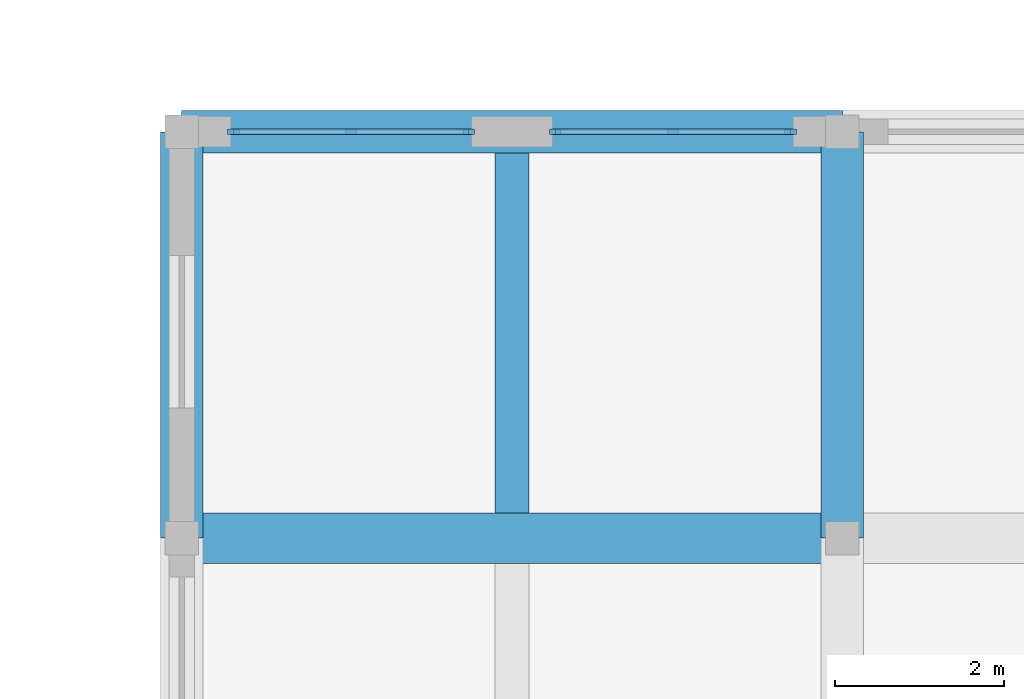
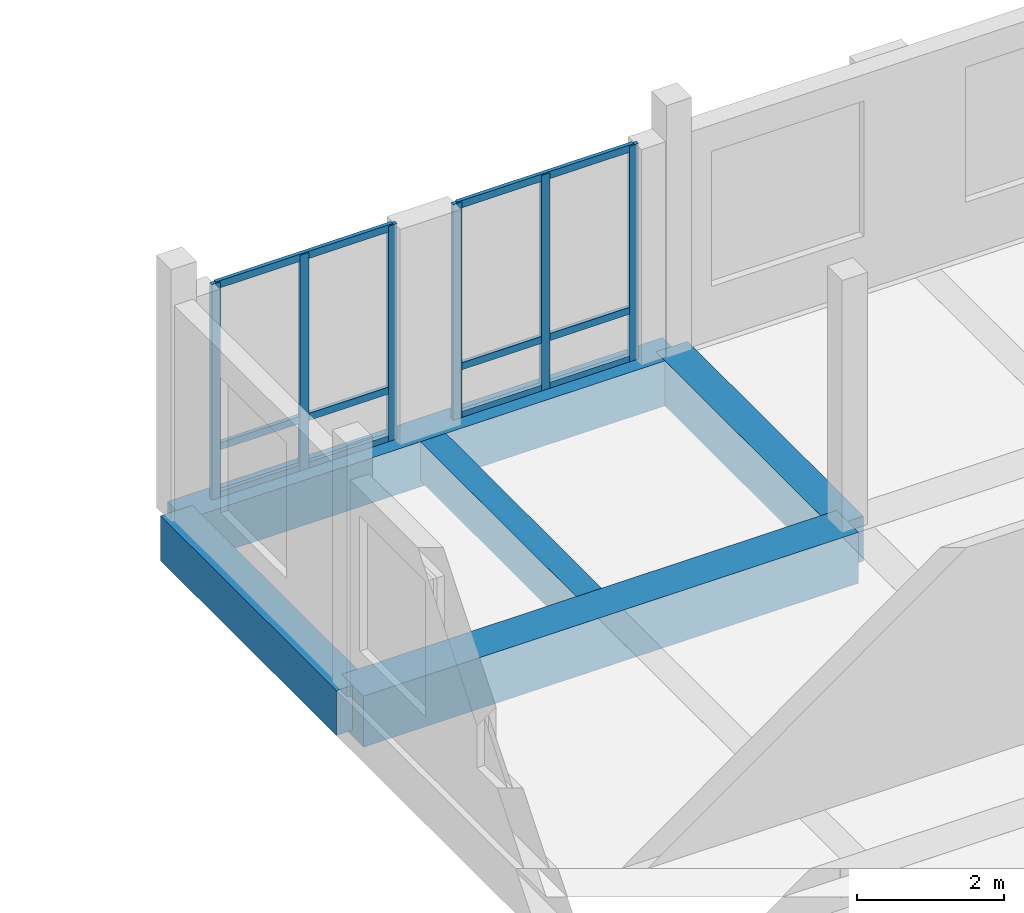
# One storey, part 29 of 99: 12 members, 5 beams, 2 elements without a shape of their own.
"""IFC4 building model written with IfcOpenShell, lengths in metres."""

from ifc_helpers import new_model, si_unit, direction, frame, origin, origin_2d, place, context, subcontext, project, spatial, rectangle, extrude, material, material_profile, profile_set, type_object, element, aggregate, save


model = new_model("IFC4")

# Units and contexts
model_context = context("Model", 3, precision=1e-05, world=origin(), true_north=direction((0.0, 1.0)))
body_context = subcontext(model_context, "Body", "Model", "MODEL_VIEW")
ifc_project = project(units=[si_unit("LENGTHUNIT", "METRE"), si_unit("AREAUNIT", "SQUARE_METRE"), si_unit("VOLUMEUNIT", "CUBIC_METRE"), si_unit("PLANEANGLEUNIT", "RADIAN"), si_unit("MASSUNIT", "GRAM", prefix="KILO")], contexts=[model_context])

# Site, building, storey
site_placement = place(None, origin())
site = spatial("IfcSite", under=ifc_project, at=site_placement, CompositionType="ELEMENT")
building_placement = place(site_placement, origin())
building = spatial("IfcBuilding", under=site, at=building_placement, Name="Kahlenmark Community Centre", CompositionType="ELEMENT")
storey_placement = place(building_placement, frame((0.0, 0.0, 5.39990234375)))
storey = spatial("IfcBuildingStorey", under=building, at=storey_placement, Name="L01", CompositionType="ELEMENT", Elevation=5.39990234375)

# Beams
ifc_material_1 = material(Name="Concrete C35/45", Category="concrete")
ifc_material_profile_1 = material_profile(ifc_material_1, rectangle(XDim=0.5, YDim=0.75, at=origin_2d()), Name="RC 500x750")
ifc_profile_set_1 = profile_set([ifc_material_profile_1], Name="Concrete C35/45")
beam_type_1 = type_object("IfcBeamType", Name="BT-BEAM-RC500x750", PredefinedType="BEAM", material=ifc_profile_set_1)
beam_1_placement = place(storey_placement, frame((129.39990234375, 37.60009765625, -0.375), z_axis=(0.0, 1.0, 0.0), x_axis=(-1.0, 0.0, 0.0)))
element("IfcBeam", 1, at=beam_1_placement, inside=storey, type_object=beam_type_1, Name="L01 beam BG-RC500x750", PredefinedType="BEAM", context=body_context, shape_type="SweptSolid", body=[
    extrude(rectangle(XDim=0.5, YDim=0.75, at=origin_2d()), origin(), (0.0, 0.0, 1.0), 4.7998046875),
])
ifc_material_profile_2 = material_profile(ifc_material_1, rectangle(XDim=0.60009765625, YDim=0.85009765625, at=origin_2d()), Name="RC 600x850")
ifc_profile_set_2 = profile_set([ifc_material_profile_2], Name="Concrete C35/45")
beam_type_2 = type_object("IfcBeamType", Name="BT-BEAM-RC600x850", PredefinedType="BEAM", material=ifc_profile_set_2)
beam_2_placement = place(storey_placement, frame((121.60009765625, 37.60009765625, -0.4248046875), z_axis=(1.0, 0.0, 0.0), x_axis=(0.0, 1.0, 0.0)))
element("IfcBeam", 2, at=beam_2_placement, inside=storey, type_object=beam_type_2, Name="L01 beam BG-RC600x850", PredefinedType="BEAM", context=body_context, shape_type="SweptSolid", body=[
    extrude(rectangle(XDim=0.60009765625, YDim=0.85009765625, at=origin_2d()), origin(), (0.0, 0.0, 1.0), 7.7998046875),
])
ifc_material_profile_3 = material_profile(ifc_material_1, rectangle(XDim=0.39990234375, YDim=0.64990234375, at=origin_2d()), Name="RC 400x650")
ifc_profile_set_3 = profile_set([ifc_material_profile_3], Name="Concrete C35/45")
beam_type_3 = type_object("IfcBeamType", Name="BT-JOIST-RC400x650", PredefinedType="JOIST", material=ifc_profile_set_3)
beam_3_placement = place(storey_placement, frame((125.5, 37.89794921875, -0.324951171875), z_axis=(0.0, 1.0, 0.0), x_axis=(-1.0, 0.0, 0.0)))
element("IfcBeam", 3, at=beam_3_placement, inside=storey, type_object=beam_type_3, Name="L01 joist BJ-RC400x650", PredefinedType="JOIST", context=body_context, shape_type="SweptSolid", body=[
    extrude(rectangle(XDim=0.39990234375, YDim=0.64990234375, at=origin_2d()), origin(), (0.0, 0.0, 1.0), 4.254150390625),
])
ifc_material_profile_4 = material_profile(ifc_material_1, rectangle(XDim=0.5, YDim=0.75, at=origin_2d()), Name="RC 500x750")
ifc_profile_set_4 = profile_set([ifc_material_profile_4], Name="Concrete C35/45")
beam_type_4 = type_object("IfcBeamType", Name="BT-SPANDREL-RC500x750", PredefinedType="SPANDREL", material=ifc_profile_set_4)
beam_4_placement = place(storey_placement, frame((121.60009765625, 42.39990234375, -0.375), z_axis=(1.0, 0.0, 0.0), x_axis=(0.0, 1.0, 0.0)))
element("IfcBeam", 4, at=beam_4_placement, inside=storey, type_object=beam_type_4, Name="L01 spandrel SP-RC500x750", PredefinedType="SPANDREL", context=body_context, shape_type="SweptSolid", body=[
    extrude(rectangle(XDim=0.5, YDim=0.75, at=origin_2d()), origin(), (0.0, 0.0, 1.0), 7.7998046875),
])
beam_5_placement = place(storey_placement, frame((121.60009765625, 37.60009765625, -0.375), z_axis=(0.0, 1.0, 0.0), x_axis=(-1.0, 0.0, 0.0)))
element("IfcBeam", 5, at=beam_5_placement, inside=storey, type_object=beam_type_4, Name="L01 spandrel SP-RC500x750", PredefinedType="SPANDREL", context=body_context, shape_type="SweptSolid", body=[
    extrude(rectangle(XDim=0.5, YDim=0.75, at=origin_2d()), origin(), (0.0, 0.0, 1.0), 4.7998046875),
])

# Curtain wall, members
ifc_material_2 = material(Name="Anodised aluminium unitised curtain wall", Category="aluminium")
curtain_wall_type = type_object("IfcCurtainWallType", Name="CWT-UNIT-284X359", PredefinedType="USERDEFINED", material=ifc_material_2)
curtain_wall_1_placement = place(storey_placement, origin())
curtain_wall_1 = element("IfcCurtainWall", 6, at=curtain_wall_1_placement, inside=storey, type_object=curtain_wall_type, Name="Unitised curtain wall CW-054", ObjectType="UNITISED CURTAIN WALL", PredefinedType="USERDEFINED")
ifc_material_3 = material(Name="Anodised aluminium 6063-T6", Category="aluminium")
ifc_material_profile_5 = material_profile(ifc_material_3, rectangle(XDim=0.06005859375, YDim=0.139892578125, at=origin_2d()), Name="ALU MULLION 60x140")
ifc_profile_set_5 = profile_set([ifc_material_profile_5], Name="Anodised aluminium 6063-T6")
member_type_1 = type_object("IfcMemberType", Name="MT-MUL-140", PredefinedType="MULLION", material=ifc_profile_set_5)
member_1_placement = place(storey_placement, frame((128.7900390625, 42.39990234375, 0.0), z_axis=(0.0, 0.0, 1.0), x_axis=(0.0, -1.0, 0.0)))
member_1 = element("IfcMember", 7, at=member_1_placement, type_object=member_type_1, Name="CW-054 mullion 1", PredefinedType="MULLION", context=body_context, shape_type="SweptSolid", body=[
    extrude(rectangle(XDim=0.06005859375, YDim=0.139892578125, at=origin_2d()), origin(), (0.0, 0.0, 1.0), 3.590087890625),
])
member_2_placement = place(storey_placement, frame((127.39990234375, 42.39990234375, 0.0), z_axis=(0.0, 0.0, 1.0), x_axis=(0.0, -1.0, 0.0)))
member_2 = element("IfcMember", 8, at=member_2_placement, type_object=member_type_1, Name="CW-054 mullion 2", PredefinedType="MULLION", context=body_context, shape_type="SweptSolid", body=[
    extrude(rectangle(XDim=0.06005859375, YDim=0.139892578125, at=origin_2d()), origin(), (0.0, 0.0, 1.0), 3.590087890625),
])
member_3_placement = place(storey_placement, frame((126.010009765625, 42.39990234375, 0.0), z_axis=(0.0, 0.0, 1.0), x_axis=(0.0, -1.0, 0.0)))
member_3 = element("IfcMember", 9, at=member_3_placement, type_object=member_type_1, Name="CW-054 mullion 3", PredefinedType="MULLION", context=body_context, shape_type="SweptSolid", body=[
    extrude(rectangle(XDim=0.06005859375, YDim=0.139892578125, at=origin_2d()), origin(), (0.0, 0.0, 1.0), 3.590087890625),
])

curtain_wall_2_placement = place(storey_placement, origin())
curtain_wall_2 = element("IfcCurtainWall", 10, at=curtain_wall_2_placement, inside=storey, type_object=curtain_wall_type, Name="Unitised curtain wall CW-055", ObjectType="UNITISED CURTAIN WALL", PredefinedType="USERDEFINED")
member_4_placement = place(storey_placement, frame((124.989990234375, 42.39990234375, 0.0), z_axis=(0.0, 0.0, 1.0), x_axis=(0.0, -1.0, 0.0)))
member_4 = element("IfcMember", 11, at=member_4_placement, type_object=member_type_1, Name="CW-055 mullion 1", PredefinedType="MULLION", context=body_context, shape_type="SweptSolid", body=[
    extrude(rectangle(XDim=0.06005859375, YDim=0.139892578125, at=origin_2d()), origin(), (0.0, 0.0, 1.0), 3.590087890625),
])
member_5_placement = place(storey_placement, frame((123.60009765625, 42.39990234375, 0.0), z_axis=(0.0, 0.0, 1.0), x_axis=(0.0, -1.0, 0.0)))
member_5 = element("IfcMember", 12, at=member_5_placement, type_object=member_type_1, Name="CW-055 mullion 2", PredefinedType="MULLION", context=body_context, shape_type="SweptSolid", body=[
    extrude(rectangle(XDim=0.06005859375, YDim=0.139892578125, at=origin_2d()), origin(), (0.0, 0.0, 1.0), 3.590087890625),
])
member_6_placement = place(storey_placement, frame((122.2099609375, 42.39990234375, 0.0), z_axis=(0.0, 0.0, 1.0), x_axis=(0.0, -1.0, 0.0)))
member_6 = element("IfcMember", 13, at=member_6_placement, type_object=member_type_1, Name="CW-055 mullion 3", PredefinedType="MULLION", context=body_context, shape_type="SweptSolid", body=[
    extrude(rectangle(XDim=0.06005859375, YDim=0.139892578125, at=origin_2d()), origin(), (0.0, 0.0, 1.0), 3.590087890625),
])

# Member
ifc_material_profile_6 = material_profile(ifc_material_3, rectangle(XDim=0.06005859375, YDim=0.1201171875, at=origin_2d()), Name="ALU TRANSOM 60x120")
ifc_profile_set_6 = profile_set([ifc_material_profile_6], Name="Anodised aluminium 6063-T6")
member_type_2 = type_object("IfcMemberType", Name="MT-TRN-120", PredefinedType="USERDEFINED", material=ifc_profile_set_6)
member_7_placement = place(storey_placement, frame((128.7900390625, 42.39990234375, 0.0400390625), z_axis=(-1.0, 0.0, 0.0), x_axis=(0.0, -1.0, 0.0)))
member_7 = element("IfcMember", 14, at=member_7_placement, type_object=member_type_2, Name="CW-054 transom 1", ObjectType="TRANSOM", PredefinedType="USERDEFINED", context=body_context, shape_type="SweptSolid", body=[
    extrude(rectangle(XDim=0.06005859375, YDim=0.1201171875, at=origin_2d()), origin(), (0.0, 0.0, 1.0), 2.780029296875),
])

member_8_placement = place(storey_placement, frame((128.7900390625, 42.39990234375, 0.85009765625), z_axis=(-1.0, 0.0, 0.0), x_axis=(0.0, -1.0, 0.0)))
member_8 = element("IfcMember", 15, at=member_8_placement, type_object=member_type_2, Name="CW-054 transom 2", ObjectType="TRANSOM", PredefinedType="USERDEFINED", context=body_context, shape_type="SweptSolid", body=[
    extrude(rectangle(XDim=0.06005859375, YDim=0.1201171875, at=origin_2d()), origin(), (0.0, 0.0, 1.0), 2.780029296875),
])

member_9_placement = place(storey_placement, frame((128.7900390625, 42.39990234375, 3.550048828125), z_axis=(-1.0, 0.0, 0.0), x_axis=(0.0, -1.0, 0.0)))
member_9 = element("IfcMember", 16, at=member_9_placement, type_object=member_type_2, Name="CW-054 transom 3", ObjectType="TRANSOM", PredefinedType="USERDEFINED", context=body_context, shape_type="SweptSolid", body=[
    extrude(rectangle(XDim=0.06005859375, YDim=0.1201171875, at=origin_2d()), origin(), (0.0, 0.0, 1.0), 2.780029296875),
])

aggregate(curtain_wall_1, [member_1, member_2, member_3, member_7, member_8, member_9])

member_10_placement = place(storey_placement, frame((124.989990234375, 42.39990234375, 0.0400390625), z_axis=(-1.0, 0.0, 0.0), x_axis=(0.0, -1.0, 0.0)))
member_10 = element("IfcMember", 17, at=member_10_placement, type_object=member_type_2, Name="CW-055 transom 1", ObjectType="TRANSOM", PredefinedType="USERDEFINED", context=body_context, shape_type="SweptSolid", body=[
    extrude(rectangle(XDim=0.06005859375, YDim=0.1201171875, at=origin_2d()), origin(), (0.0, 0.0, 1.0), 2.780029296875),
])

member_11_placement = place(storey_placement, frame((124.989990234375, 42.39990234375, 0.85009765625), z_axis=(-1.0, 0.0, 0.0), x_axis=(0.0, -1.0, 0.0)))
member_11 = element("IfcMember", 18, at=member_11_placement, type_object=member_type_2, Name="CW-055 transom 2", ObjectType="TRANSOM", PredefinedType="USERDEFINED", context=body_context, shape_type="SweptSolid", body=[
    extrude(rectangle(XDim=0.06005859375, YDim=0.1201171875, at=origin_2d()), origin(), (0.0, 0.0, 1.0), 2.780029296875),
])

member_12_placement = place(storey_placement, frame((124.989990234375, 42.39990234375, 3.550048828125), z_axis=(-1.0, 0.0, 0.0), x_axis=(0.0, -1.0, 0.0)))
member_12 = element("IfcMember", 19, at=member_12_placement, type_object=member_type_2, Name="CW-055 transom 3", ObjectType="TRANSOM", PredefinedType="USERDEFINED", context=body_context, shape_type="SweptSolid", body=[
    extrude(rectangle(XDim=0.06005859375, YDim=0.1201171875, at=origin_2d()), origin(), (0.0, 0.0, 1.0), 2.780029296875),
])

aggregate(curtain_wall_2, [member_4, member_5, member_6, member_10, member_11, member_12])

save(model, "model.ifc")
